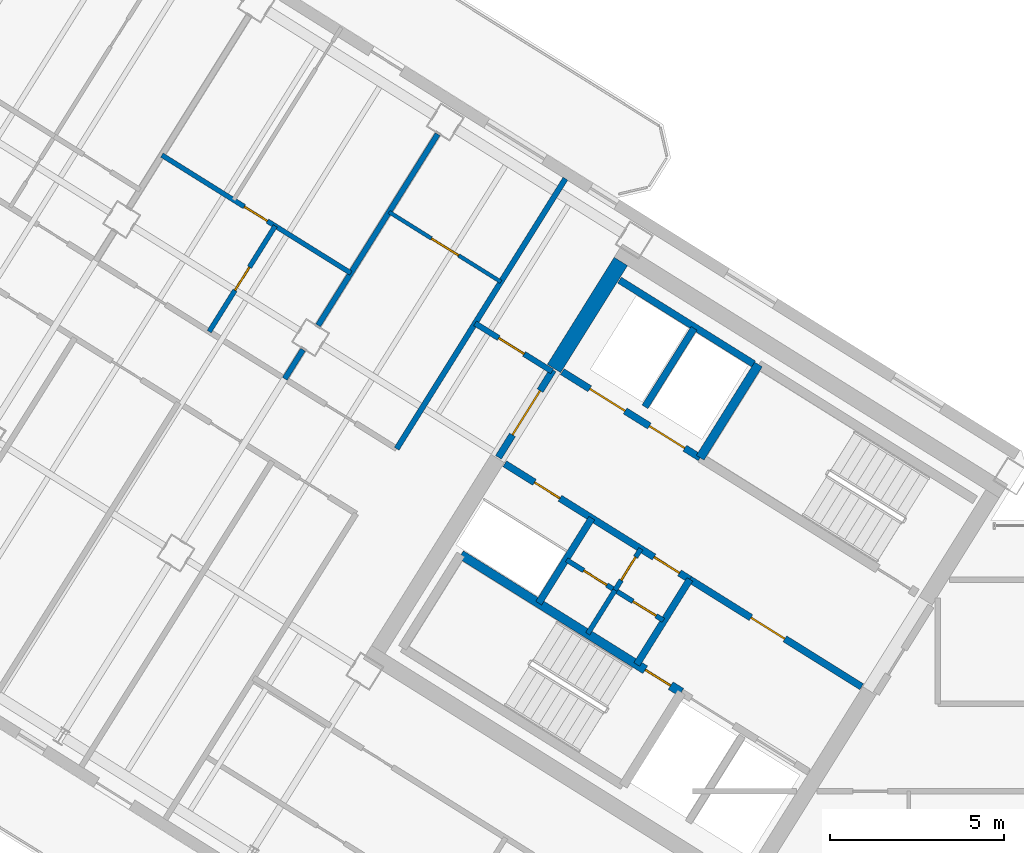
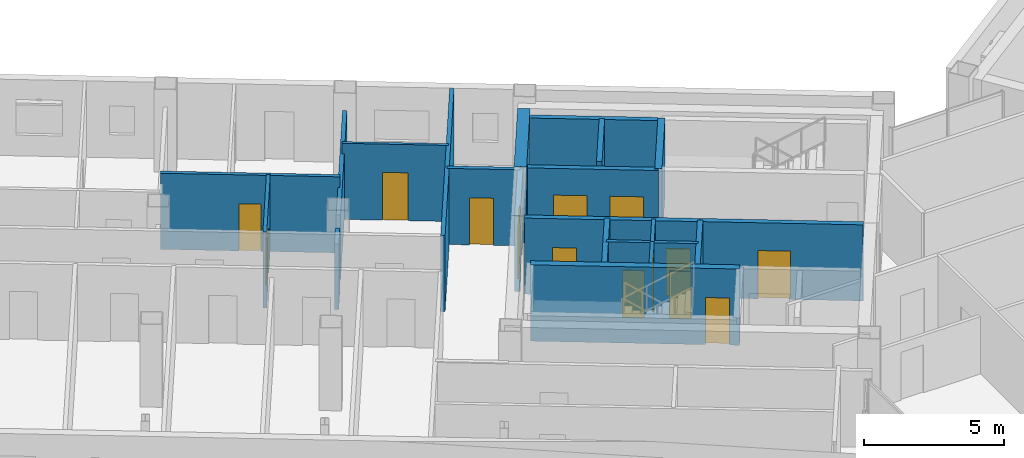
# One storey, part 17 of 27: 21 walls, 14 doors, 14 openings.
"""IFC4 building model written with IfcOpenShell, lengths in metres."""

from ifc_helpers import new_model, si_unit, direction, frame, frame_2d, origin, place, context, subcontext, project, spatial, rectangle, extrude, source, transform, mapped, material, layer, layer_set, type_object, element, fill, save


model = new_model("IFC4")

# Units and contexts
model_context = context("Model", 3, precision=1e-05, world=origin(), true_north=direction((0.0, 1.0)))
body_context = subcontext(model_context, "Body", "Model", "MODEL_VIEW")
ifc_project = project(units=[si_unit("LENGTHUNIT", "METRE"), si_unit("AREAUNIT", "SQUARE_METRE"), si_unit("VOLUMEUNIT", "CUBIC_METRE"), si_unit("PLANEANGLEUNIT", "RADIAN"), si_unit("MASSUNIT", "GRAM", prefix="KILO")], contexts=[model_context])

# Site, building, storey
site_placement = place(None, origin())
site = spatial("IfcSite", under=ifc_project, at=site_placement, CompositionType="ELEMENT")
building_placement = place(site_placement, origin())
building = spatial("IfcBuilding", under=site, at=building_placement, Name="Tlacorven Tower", CompositionType="ELEMENT")
storey_placement = place(building_placement, frame((0.0, 0.0, 242.10009765625)))
storey = spatial("IfcBuildingStorey", under=building, at=storey_placement, Name="L61", CompositionType="ELEMENT", Elevation=242.10009765625)

# Wall
ifc_material_1 = material(Name="Concrete C50/60", Category="concrete")
ifc_layer_1 = layer(ifc_material_1, 0.449951171875)
ifc_layer_set_1 = layer_set([ifc_layer_1], Name="Concrete C50/60")
wall_type_1 = type_object("IfcWallType", Name="WL-COR-450", PredefinedType="SHEAR", material=ifc_layer_set_1)
wall_1_placement = place(storey_placement, frame((29.543701171875, 30.636474609375, 0.0), z_axis=(0.0, 0.0, 1.0), x_axis=(-0.529902075036, -0.848058836916, 0.0)))
element("IfcWall", 1, at=wall_1_placement, inside=storey, type_object=wall_type_1, Name="L61 W core end wall E2.1", PredefinedType="SHEAR", context=body_context, shape_type="SweptSolid", body=[
    extrude(rectangle(XDim=3.625, YDim=0.449951171875, at=frame_2d((1.8125, 0.0))), origin(), (0.0, 0.0, 1.0), 3.31982421875),
])

# Wall, opening, door
ifc_material_2 = material(Name="Gypsum plasterboard acoustic partition", Category="gypsum")
ifc_layer_2 = layer(ifc_material_2, 0.159912109375)
ifc_layer_set_2 = layer_set([ifc_layer_2], Name="Gypsum plasterboard acoustic partition")
wall_type_2 = type_object("IfcWallType", Name="WL-DEM-160", PredefinedType="PARTITIONING", material=ifc_layer_set_2)
wall_2_placement = place(storey_placement, frame((27.56982421875, 27.4775390625, 0.0), z_axis=(0.0, 0.0, 1.0), x_axis=(-0.848050851465, 0.529914854792, 0.0)))
wall_2 = element("IfcWall", 2, at=wall_2_placement, inside=storey, type_object=wall_type_2, Name="L61 partition 38", PredefinedType="PARTITIONING", context=body_context, shape_type="SweptSolid", body=[
    extrude(rectangle(XDim=2.60986328125, YDim=0.159912109375, at=frame_2d((1.304931640625, 0.0))), origin(), (0.0, 0.0, 1.0), 3.309814453125),
])
opening_1_placement = place(wall_2_placement, frame((0.949951171875, 0.0, 0.0)))
opening_1 = element("IfcOpeningElement", 3, at=opening_1_placement, cuts=wall_2, Name="Opening D19", PredefinedType="OPENING", context=body_context, shape_type="SweptSolid", body=[
    extrude(rectangle(XDim=0.860107421875, YDim=2.050048828125, at=frame_2d((0.43017578125, 1.02490234375))), frame((0.0, 0.08984375, 0.0), z_axis=(0.0, -1.0, 0.0), x_axis=(1.0, 0.0, 0.0)), (0.0, 0.0, 1.0), 0.179931640625),
])
ifc_material_3 = material(Name="Fire-rated steel door assembly", Category="steel")
door_type_1 = type_object("IfcDoorType", Name="DR-RSR-FD60-0860", OperationType="NOTDEFINED", PredefinedType="DOOR", material=ifc_material_3)
shared_shape_1 = source(origin(), body_context, "Body", "SweptSolid", [
    extrude(rectangle(XDim=0.860107421875, YDim=2.050048828125, at=frame_2d((0.43017578125, 1.02490234375))), frame((0.0, 0.02490234375, 0.0), z_axis=(0.0, -1.0, 0.0), x_axis=(1.0, 0.0, 0.0)), (0.0, 0.0, 1.0), 0.050048828125),
])
door_1_placement = place(opening_1_placement, frame((0.860107421875, 0.0, 0.0), z_axis=(0.0, 0.0, 1.0), x_axis=(-1.0, 0.0, 0.0)))
door_1 = element("IfcDoor", 4, at=door_1_placement, inside=storey, type_object=door_type_1, Name="L61 door 021", OperationType="SINGLE_SWING_RIGHT", OverallHeight=2.050048828125, OverallWidth=0.860107421875, PredefinedType="DOOR", context=body_context, shape_type="MappedRepresentation", body=[
    mapped(shared_shape_1, transform((0.0, 0.0, 0.0), scale=1.0)),
])
fill(opening_1, door_1)

# Walls
wall_3_placement = place(storey_placement, frame((27.952880859375, 33.01611328125, 0.0), z_axis=(0.0, 0.0, 1.0), x_axis=(-0.529903001606, -0.848058257957, 0.0)))
element("IfcWall", 5, at=wall_3_placement, inside=storey, type_object=wall_type_2, Name="L61 partition 40", PredefinedType="PARTITIONING", context=body_context, shape_type="SweptSolid", body=[
    extrude(rectangle(XDim=9.150146484375, YDim=0.159912109375, at=frame_2d((4.5751953125, 0.0))), origin(), (0.0, 0.0, 1.0), 3.309814453125),
])
wall_4_placement = place(storey_placement, frame((24.2822265625, 34.29345703125, 0.0), z_axis=(0.0, 0.0, 1.0), x_axis=(-0.529934553702, -0.848038542045, 0.0)))
element("IfcWall", 6, at=wall_4_placement, inside=storey, type_object=wall_type_2, Name="L61 WS Demising Wall 1", PredefinedType="PARTITIONING", context=body_context, shape_type="SweptSolid", body=[
    extrude(rectangle(XDim=6.47607421875, YDim=0.159912109375, at=frame_2d((3.238037109375, 0.0))), origin(), (0.0, 0.0, 1.0), 2.844970703125),
])
wall_5_placement = place(storey_placement, frame((20.413818359375, 28.102783203125, 0.0), z_axis=(0.0, 0.0, 1.0), x_axis=(-0.529998940003, -0.847998304005, 0.0)))
element("IfcWall", 7, at=wall_5_placement, inside=storey, type_object=wall_type_2, Name="L61 WS Demising Wall 1", PredefinedType="PARTITIONING", context=body_context, shape_type="SweptSolid", body=[
    extrude(rectangle(XDim=0.988037109375, YDim=0.159912109375, at=frame_2d((0.494140625, 0.0))), origin(), (0.0, 0.0, 1.0), 2.844970703125),
])

# Wall, opening, door
ifc_material_4 = material(Name="Gypsum plasterboard partition", Category="gypsum")
ifc_layer_3 = layer(ifc_material_4, 0.110107421875)
ifc_layer_set_3 = layer_set([ifc_layer_3], Name="Gypsum plasterboard partition")
wall_type_3 = type_object("IfcWallType", Name="WL-INT-110", PredefinedType="PARTITIONING", material=ifc_layer_set_3)
wall_6_placement = place(storey_placement, frame((26.099365234375, 30.049560546875, 0.0), z_axis=(0.0, 0.0, 1.0), x_axis=(-0.84803087207, 0.529946827537, 0.0)))
wall_6 = element("IfcWall", 8, at=wall_6_placement, inside=storey, type_object=wall_type_3, Name="L61 partition 50", PredefinedType="PARTITIONING", context=body_context, shape_type="SweptSolid", body=[
    extrude(rectangle(XDim=3.7900390625, YDim=0.110107421875, at=frame_2d((1.89501953125, 0.0))), origin(), (0.0, 0.0, 1.0), 3.309814453125),
])
opening_2_placement = place(wall_6_placement, frame((1.43505859375, 0.0, 0.0)))
opening_2 = element("IfcOpeningElement", 9, at=opening_2_placement, cuts=wall_6, Name="Opening D12", PredefinedType="OPENING", context=body_context, shape_type="SweptSolid", body=[
    extrude(rectangle(XDim=0.919921875, YDim=2.080078125, at=frame_2d((0.4599609375, 1.0400390625))), frame((0.0, 0.06494140625, 0.0), z_axis=(0.0, -1.0, 0.0), x_axis=(1.0, 0.0, 0.0)), (0.0, 0.0, 1.0), 0.130126953125),
])
ifc_material_5 = material(Name="Powder-coated aluminium and timber door", Category="wood")
door_type_2 = type_object("IfcDoorType", Name="DR-INT-ROOM-0920", OperationType="NOTDEFINED", PredefinedType="DOOR", material=ifc_material_5)
shared_shape_2 = source(origin(), body_context, "Body", "SweptSolid", [
    extrude(rectangle(XDim=0.919921875, YDim=2.080078125, at=frame_2d((0.4599609375, 1.0400390625))), frame((0.0, 0.02490234375, 0.0), z_axis=(0.0, -1.0, 0.0), x_axis=(1.0, 0.0, 0.0)), (0.0, 0.0, 1.0), 0.050048828125),
])
door_2_placement = place(opening_2_placement, origin())
door_2 = element("IfcDoor", 10, at=door_2_placement, inside=storey, type_object=door_type_2, Name="L61 door 029", OperationType="SINGLE_SWING_LEFT", OverallHeight=2.080078125, OverallWidth=0.919921875, PredefinedType="DOOR", context=body_context, shape_type="MappedRepresentation", body=[
    mapped(shared_shape_2, transform((0.0, 0.0, 0.0), scale=1.0)),
])
fill(opening_2, door_2)

ifc_material_6 = material(Name="Moisture-resistant gypsum plumbing wall", Category="gypsum")
ifc_layer_4 = layer(ifc_material_6, 0.139892578125)
ifc_layer_set_4 = layer_set([ifc_layer_4], Name="Moisture-resistant gypsum plumbing wall")
wall_type_4 = type_object("IfcWallType", Name="WL-PLM-140", PredefinedType="PLUMBINGWALL", material=ifc_layer_set_4)
wall_7_placement = place(storey_placement, frame((30.117431640625, 22.383544921875, 0.0), z_axis=(0.0, 0.0, 1.0), x_axis=(-0.529951914384, -0.848027693204, 0.0)))
wall_7 = element("IfcWall", 11, at=wall_7_placement, inside=storey, type_object=wall_type_4, Name="L61 partition 18", PredefinedType="PLUMBINGWALL", context=body_context, shape_type="SweptSolid", body=[
    extrude(rectangle(XDim=1.39990234375, YDim=0.139892578125, at=frame_2d((0.699951171875, 0.0))), origin(), (0.0, 0.0, 1.0), 3.309814453125),
])
opening_3_placement = place(wall_7_placement, frame((0.280029296875, 0.0, 0.0)))
opening_3 = element("IfcOpeningElement", 12, at=opening_3_placement, cuts=wall_7, Name="Opening D22", PredefinedType="OPENING", context=body_context, shape_type="SweptSolid", body=[
    extrude(rectangle(XDim=0.780029296875, YDim=2.050048828125, at=frame_2d((0.39013671875, 1.02490234375))), frame((0.0, 0.080078125, 0.0), z_axis=(0.0, -1.0, 0.0), x_axis=(1.0, 0.0, 0.0)), (0.0, 0.0, 1.0), 0.159912109375),
])
door_type_3 = type_object("IfcDoorType", Name="DR-INT-WET-0780", OperationType="NOTDEFINED", PredefinedType="DOOR", material=ifc_material_5)
shared_shape_3 = source(origin(), body_context, "Body", "SweptSolid", [
    extrude(rectangle(XDim=0.780029296875, YDim=2.050048828125, at=frame_2d((0.39013671875, 1.02490234375))), frame((0.0, 0.02490234375, 0.0), z_axis=(0.0, -1.0, 0.0), x_axis=(1.0, 0.0, 0.0)), (0.0, 0.0, 1.0), 0.050048828125),
])
door_3_placement = place(opening_3_placement, origin())
door_3 = element("IfcDoor", 13, at=door_3_placement, inside=storey, type_object=door_type_3, Name="L61 door 010", OperationType="SINGLE_SWING_RIGHT", OverallHeight=2.050048828125, OverallWidth=0.780029296875, PredefinedType="DOOR", context=body_context, shape_type="MappedRepresentation", body=[
    mapped(shared_shape_3, transform((0.0, 0.0, 0.0), scale=1.0)),
])
fill(opening_3, door_3)

# Wall
wall_8_placement = place(storey_placement, frame((29.37548828125, 21.1962890625, 0.0), z_axis=(0.0, 0.0, 1.0), x_axis=(-0.529865479138, -0.848081702443, 0.0)))
element("IfcWall", 14, at=wall_8_placement, inside=storey, type_object=wall_type_4, Name="L61 partition 19", PredefinedType="PLUMBINGWALL", context=body_context, shape_type="SweptSolid", body=[
    extrude(rectangle(XDim=1.47998046875, YDim=0.139892578125, at=frame_2d((0.739990234375, 0.0))), origin(), (0.0, 0.0, 1.0), 3.309814453125),
])

# Wall, openings, doors
wall_9_placement = place(storey_placement, frame((30.766357421875, 20.3271484375, 0.0), z_axis=(0.0, 0.0, 1.0), x_axis=(-0.848052663127, 0.529911955482, 0.0)))
wall_9 = element("IfcWall", 15, at=wall_9_placement, inside=storey, type_object=wall_type_4, Name="L61 partition 20", PredefinedType="PLUMBINGWALL", context=body_context, shape_type="SweptSolid", body=[
    extrude(rectangle(XDim=3.27978515625, YDim=0.139892578125, at=frame_2d((1.639892578125, 0.0))), origin(), (0.0, 0.0, 1.0), 3.309814453125),
])
opening_4_placement = place(wall_9_placement, frame((0.25, 0.0, 0.0)))
opening_4 = element("IfcOpeningElement", 16, at=opening_4_placement, cuts=wall_9, Name="Opening D22", PredefinedType="OPENING", context=body_context, shape_type="SweptSolid", body=[
    extrude(rectangle(XDim=0.780029296875, YDim=2.050048828125, at=frame_2d((0.39013671875, 1.02490234375))), frame((0.0, 0.080078125, 0.0), z_axis=(0.0, -1.0, 0.0), x_axis=(1.0, 0.0, 0.0)), (0.0, 0.0, 1.0), 0.159912109375),
])
opening_5_placement = place(wall_9_placement, frame((1.919921875, 0.0, 0.0)))
opening_5 = element("IfcOpeningElement", 17, at=opening_5_placement, cuts=wall_9, Name="Opening D22", PredefinedType="OPENING", context=body_context, shape_type="SweptSolid", body=[
    extrude(rectangle(XDim=0.780029296875, YDim=2.050048828125, at=frame_2d((0.39013671875, 1.02490234375))), frame((0.0, 0.080078125, 0.0), z_axis=(0.0, -1.0, 0.0), x_axis=(1.0, 0.0, 0.0)), (0.0, 0.0, 1.0), 0.159912109375),
])
door_4_placement = place(opening_4_placement, origin())
door_4 = element("IfcDoor", 18, at=door_4_placement, inside=storey, type_object=door_type_3, Name="L61 door 011", OperationType="SINGLE_SWING_LEFT", OverallHeight=2.050048828125, OverallWidth=0.780029296875, PredefinedType="DOOR", context=body_context, shape_type="MappedRepresentation", body=[
    mapped(shared_shape_3, transform((0.0, 0.0, 0.0), scale=1.0)),
])
fill(opening_4, door_4)
door_5_placement = place(opening_5_placement, origin())
door_5 = element("IfcDoor", 19, at=door_5_placement, inside=storey, type_object=door_type_3, Name="L61 door 012", OperationType="SINGLE_SWING_RIGHT", OverallHeight=2.050048828125, OverallWidth=0.780029296875, PredefinedType="DOOR", context=body_context, shape_type="MappedRepresentation", body=[
    mapped(shared_shape_3, transform((0.0, 0.0, 0.0), scale=1.0)),
])
fill(opening_5, door_5)

# Wall, opening, door
wall_10_placement = place(storey_placement, frame((21.787353515625, 30.30078125, 0.0), z_axis=(0.0, 0.0, 1.0), x_axis=(-0.848049732085, 0.529916646191, 0.0)))
wall_10 = element("IfcWall", 20, at=wall_10_placement, inside=storey, type_object=wall_type_4, Name="L61 partition 52", PredefinedType="PLUMBINGWALL", context=body_context, shape_type="SweptSolid", body=[
    extrude(rectangle(XDim=6.400146484375, YDim=0.139892578125, at=frame_2d((3.2001953125, 0.0))), origin(), (0.0, 0.0, 1.0), 3.309814453125),
])
opening_6_placement = place(wall_10_placement, frame((2.823974609375, 0.0, 0.0)))
opening_6 = element("IfcOpeningElement", 21, at=opening_6_placement, cuts=wall_10, Name="Opening D22", PredefinedType="OPENING", context=body_context, shape_type="SweptSolid", body=[
    extrude(rectangle(XDim=0.780029296875, YDim=2.050048828125, at=frame_2d((0.39013671875, 1.02490234375))), frame((0.0, 0.080078125, 0.0), z_axis=(0.0, -1.0, 0.0), x_axis=(1.0, 0.0, 0.0)), (0.0, 0.0, 1.0), 0.159912109375),
])
door_6_placement = place(opening_6_placement, origin())
door_6 = element("IfcDoor", 22, at=door_6_placement, inside=storey, type_object=door_type_3, Name="L61 door 032", OperationType="SINGLE_SWING_RIGHT", OverallHeight=2.050048828125, OverallWidth=0.780029296875, PredefinedType="DOOR", context=body_context, shape_type="MappedRepresentation", body=[
    mapped(shared_shape_3, transform((0.0, 0.0, 0.0), scale=1.0)),
])
fill(opening_6, door_6)

wall_11_placement = place(storey_placement, frame((19.6162109375, 31.657470703125, 0.0), z_axis=(0.0, 0.0, 1.0), x_axis=(-0.529876336437, -0.84807491891, 0.0)))
wall_11 = element("IfcWall", 23, at=wall_11_placement, inside=storey, type_object=wall_type_4, Name="L61 partition 53", PredefinedType="PLUMBINGWALL", context=body_context, shape_type="SweptSolid", body=[
    extrude(rectangle(XDim=3.580078125, YDim=0.139892578125, at=frame_2d((1.7900390625, 0.0))), origin(), (0.0, 0.0, 1.0), 3.309814453125),
])
opening_7_placement = place(wall_11_placement, frame((1.39990234375, 0.0, 0.0)))
opening_7 = element("IfcOpeningElement", 24, at=opening_7_placement, cuts=wall_11, Name="Opening D22", PredefinedType="OPENING", context=body_context, shape_type="SweptSolid", body=[
    extrude(rectangle(XDim=0.780029296875, YDim=2.050048828125, at=frame_2d((0.39013671875, 1.02490234375))), frame((0.0, 0.080078125, 0.0), z_axis=(0.0, -1.0, 0.0), x_axis=(1.0, 0.0, 0.0)), (0.0, 0.0, 1.0), 0.159912109375),
])
door_7_placement = place(opening_7_placement, origin())
door_7 = element("IfcDoor", 25, at=door_7_placement, inside=storey, type_object=door_type_3, Name="L61 door 033", OperationType="SINGLE_SWING_LEFT", OverallHeight=2.050048828125, OverallWidth=0.780029296875, PredefinedType="DOOR", context=body_context, shape_type="MappedRepresentation", body=[
    mapped(shared_shape_3, transform((0.0, 0.0, 0.0), scale=1.0)),
])
fill(opening_7, door_7)

ifc_material_7 = material(Name="Concrete C40/50", Category="concrete")
ifc_layer_5 = layer(ifc_material_7, 0.199951171875)
ifc_layer_set_5 = layer_set([ifc_layer_5], Name="Concrete C40/50")
wall_type_5 = type_object("IfcWallType", Name="WL-SHF-200", PredefinedType="STANDARD", material=ifc_layer_set_5)
wall_12_placement = place(storey_placement, frame((36.459228515625, 18.420654296875, 0.0), z_axis=(0.0, 0.0, 1.0), x_axis=(-0.848059591691, 0.529900867089, 0.0)))
wall_12 = element("IfcWall", 26, at=wall_12_placement, inside=storey, type_object=wall_type_5, Name="L61 Core W Smoke Lobby Wall", PredefinedType="STANDARD", context=body_context, shape_type="SweptSolid", body=[
    extrude(rectangle(XDim=5.818115234375, YDim=0.199951171875, at=frame_2d((2.9091796875, 0.0))), origin(), (0.0, 0.0, 1.0), 3.309814453125),
])
opening_8_placement = place(wall_12_placement, frame((2.597900390625, 0.0, 0.0)))
opening_8 = element("IfcOpeningElement", 27, at=opening_8_placement, cuts=wall_12, Name="Opening D09", PredefinedType="OPENING", context=body_context, shape_type="SweptSolid", body=[
    extrude(rectangle(XDim=1.14990234375, YDim=2.10009765625, at=frame_2d((0.574951171875, 1.050048828125))), frame((0.0, 0.10986328125, 0.0), z_axis=(0.0, -1.0, 0.0), x_axis=(1.0, 0.0, 0.0)), (0.0, 0.0, 1.0), 0.219970703125),
])
door_type_4 = type_object("IfcDoorType", Name="DR-FFL-FD60-1150", OperationType="NOTDEFINED", PredefinedType="DOOR", material=ifc_material_3)
shared_shape_4 = source(origin(), body_context, "Body", "SweptSolid", [
    extrude(rectangle(XDim=1.14990234375, YDim=2.10009765625, at=frame_2d((0.574951171875, 1.050048828125))), frame((0.0, 0.02490234375, 0.0), z_axis=(0.0, -1.0, 0.0), x_axis=(1.0, 0.0, 0.0)), (0.0, 0.0, 1.0), 0.050048828125),
])
door_8_placement = place(opening_8_placement, origin())
door_8 = element("IfcDoor", 28, at=door_8_placement, inside=storey, type_object=door_type_4, Name="L61 Firefighting Lobby W Fire Door", OperationType="SINGLE_SWING_LEFT", OverallHeight=2.10009765625, OverallWidth=1.14990234375, PredefinedType="DOOR", context=body_context, shape_type="MappedRepresentation", body=[
    mapped(shared_shape_4, transform((0.0, 0.0, 0.0), scale=1.0)),
])
fill(opening_8, door_8)

# Wall, openings, doors
wall_13_placement = place(storey_placement, frame((31.82177734375, 24.99755859375, 0.0), z_axis=(0.0, 0.0, 1.0), x_axis=(-0.848054125777, 0.529909614701, 0.0)))
wall_13 = element("IfcWall", 29, at=wall_13_placement, inside=storey, type_object=wall_type_5, Name="L61 Core W South Lift Shaft Wall", PredefinedType="STANDARD", context=body_context, shape_type="SweptSolid", body=[
    extrude(rectangle(XDim=4.66796875, YDim=0.199951171875, at=frame_2d((2.333984375, 0.0))), origin(), (0.0, 0.0, 1.0), 3.309814453125),
])
opening_9_placement = place(wall_13_placement, frame((0.52001953125, 0.0, 0.0)))
opening_9 = element("IfcOpeningElement", 30, at=opening_9_placement, cuts=wall_13, Name="Opening LD02", PredefinedType="OPENING", context=body_context, shape_type="SweptSolid", body=[
    extrude(rectangle(XDim=1.199951171875, YDim=2.14990234375, at=frame_2d((0.60009765625, 1.074951171875))), frame((0.0, 0.10986328125, 0.0), z_axis=(0.0, -1.0, 0.0), x_axis=(1.0, 0.0, 0.0)), (0.0, 0.0, 1.0), 0.219970703125),
])
opening_10_placement = place(wall_13_placement, frame((2.5400390625, 0.0, 0.0)))
opening_10 = element("IfcOpeningElement", 31, at=opening_10_placement, cuts=wall_13, Name="Opening LD02", PredefinedType="OPENING", context=body_context, shape_type="SweptSolid", body=[
    extrude(rectangle(XDim=1.199951171875, YDim=2.14990234375, at=frame_2d((0.60009765625, 1.074951171875))), frame((0.0, 0.10986328125, 0.0), z_axis=(0.0, -1.0, 0.0), x_axis=(1.0, 0.0, 0.0)), (0.0, 0.0, 1.0), 0.219970703125),
])
door_type_5 = type_object("IfcDoorType", Name="DR-LFT-SLID-1200", OperationType="DOUBLE_DOOR_SLIDING", PredefinedType="DOOR", material=ifc_material_3)
shared_shape_5 = source(origin(), body_context, "Body", "SweptSolid", [
    extrude(rectangle(XDim=1.199951171875, YDim=2.14990234375, at=frame_2d((0.60009765625, 1.074951171875))), frame((0.0, 0.02490234375, 0.0), z_axis=(0.0, -1.0, 0.0), x_axis=(1.0, 0.0, 0.0)), (0.0, 0.0, 1.0), 0.050048828125),
])
door_9_placement = place(opening_9_placement, origin())
door_9 = element("IfcDoor", 32, at=door_9_placement, inside=storey, type_object=door_type_5, Name="L61 Lift PL-H1 Sliding Landing Door", OperationType="DOUBLE_DOOR_SLIDING", OverallHeight=2.14990234375, OverallWidth=1.199951171875, PredefinedType="DOOR", context=body_context, shape_type="MappedRepresentation", body=[
    mapped(shared_shape_5, transform((0.0, 0.0, 0.0), scale=1.0)),
])
fill(opening_9, door_9)
door_10_placement = place(opening_10_placement, origin())
door_10 = element("IfcDoor", 33, at=door_10_placement, inside=storey, type_object=door_type_5, Name="L61 Lift PL-H2 Sliding Landing Door", OperationType="DOUBLE_DOOR_SLIDING", OverallHeight=2.14990234375, OverallWidth=1.199951171875, PredefinedType="DOOR", context=body_context, shape_type="MappedRepresentation", body=[
    mapped(shared_shape_5, transform((0.0, 0.0, 0.0), scale=1.0)),
])
fill(opening_10, door_10)

# Walls
wall_14_placement = place(storey_placement, frame((31.645263671875, 28.716064453125, 0.0), z_axis=(0.0, 0.0, 1.0), x_axis=(-0.52986693015, -0.848080795876, 0.0)))
element("IfcWall", 34, at=wall_14_placement, inside=storey, type_object=wall_type_5, Name="L61 partition 12", PredefinedType="STANDARD", context=body_context, shape_type="SweptSolid", body=[
    extrude(rectangle(XDim=2.659912109375, YDim=0.199951171875, at=frame_2d((1.330078125, 0.0))), origin(), (0.0, 0.0, 1.0), 3.309814453125),
])
wall_15_placement = place(storey_placement, frame((33.362548828125, 27.690185546875, 0.0), z_axis=(0.0, 0.0, 1.0), x_axis=(-0.84804957148, 0.529916903215, 0.0)))
element("IfcWall", 35, at=wall_15_placement, inside=storey, type_object=wall_type_5, Name="L61 partition 14", PredefinedType="STANDARD", context=body_context, shape_type="SweptSolid", body=[
    extrude(rectangle(XDim=4.547607421875, YDim=0.199951171875, at=frame_2d((2.27392578125, 0.0))), origin(), (0.0, 0.0, 1.0), 3.309814453125),
])
for number, where, z_axis, x_axis, name in (
    (36, (31.525146484375, 21.503662109375, 0.0), (0.0, 0.0, 1.0), (-0.529907497854, -0.848055448493, 0.0), "L61 partition 15"),
    (37, (28.709716796875, 23.26318359375, 0.0), (0.0, 0.0, 1.0), (-0.529907497854, -0.848055448493, 0.0), "L61 partition 16"),
):
    element("IfcWall", number, at=place(storey_placement, frame(where, z_axis=z_axis, x_axis=x_axis)), inside=storey, type_object=wall_type_5, Name=name, PredefinedType="STANDARD", context=body_context, shape_type="SweptSolid", body=[
        extrude(rectangle(XDim=2.8798828125, YDim=0.199951171875, at=frame_2d((1.43994140625, 0.0))), origin(), (0.0, 0.0, 1.0), 3.309814453125),
    ])

# Wall, openings, doors
wall_16_placement = place(storey_placement, frame((31.525146484375, 21.503662109375, 0.0), z_axis=(0.0, 0.0, 1.0), x_axis=(-0.848042066329, 0.529928913853, 0.0)))
wall_16 = element("IfcWall", 38, at=wall_16_placement, inside=storey, type_object=wall_type_5, Name="L61 Core W North Service Wall", PredefinedType="STANDARD", context=body_context, shape_type="SweptSolid", body=[
    extrude(rectangle(XDim=6.267822265625, YDim=0.199951171875, at=frame_2d((3.1337890625, 0.0))), origin(), (0.0, 0.0, 1.0), 3.309814453125),
])
opening_11_placement = place(wall_16_placement, frame((4.39990234375, 0.0, 0.0)))
opening_11 = element("IfcOpeningElement", 39, at=opening_11_placement, cuts=wall_16, Name="Opening D19", PredefinedType="OPENING", context=body_context, shape_type="SweptSolid", body=[
    extrude(rectangle(XDim=0.860107421875, YDim=2.050048828125, at=frame_2d((0.43017578125, 1.02490234375))), frame((0.0, 0.10986328125, 0.0), z_axis=(0.0, -1.0, 0.0), x_axis=(1.0, 0.0, 0.0)), (0.0, 0.0, 1.0), 0.219970703125),
])
opening_12_placement = place(wall_16_placement, frame((0.35009765625, 0.0, 0.0)))
opening_12 = element("IfcOpeningElement", 40, at=opening_12_placement, cuts=wall_16, Name="Opening D19", PredefinedType="OPENING", context=body_context, shape_type="SweptSolid", body=[
    extrude(rectangle(XDim=0.860107421875, YDim=2.050048828125, at=frame_2d((0.43017578125, 1.02490234375))), frame((0.0, 0.10986328125, 0.0), z_axis=(0.0, -1.0, 0.0), x_axis=(1.0, 0.0, 0.0)), (0.0, 0.0, 1.0), 0.219970703125),
])
door_11_placement = place(opening_11_placement, frame((0.860107421875, 0.0, 0.0), z_axis=(0.0, 0.0, 1.0), x_axis=(-1.0, 0.0, 0.0)))
door_11 = element("IfcDoor", 41, at=door_11_placement, inside=storey, type_object=door_type_1, Name="L61 Electrical Riser Access Door W", OperationType="SINGLE_SWING_RIGHT", OverallHeight=2.050048828125, OverallWidth=0.860107421875, PredefinedType="DOOR", context=body_context, shape_type="MappedRepresentation", body=[
    mapped(shared_shape_1, transform((0.0, 0.0, 0.0), scale=1.0)),
])
fill(opening_11, door_11)
door_12_placement = place(opening_12_placement, frame((0.860107421875, 0.0, 0.0), z_axis=(0.0, 0.0, 1.0), x_axis=(-1.0, 0.0, 0.0)))
door_12 = element("IfcDoor", 42, at=door_12_placement, inside=storey, type_object=door_type_1, Name="L61 Cleaning Room Access Door W", OperationType="SINGLE_SWING_LEFT", OverallHeight=2.050048828125, OverallWidth=0.860107421875, PredefinedType="DOOR", context=body_context, shape_type="MappedRepresentation", body=[
    mapped(shared_shape_1, transform((0.0, 0.0, 0.0), scale=1.0)),
])
fill(opening_12, door_12)

# Wall, opening, door
wall_17_placement = place(storey_placement, frame((27.59619140625, 27.52001953125, 0.0), z_axis=(0.0, 0.0, 1.0), x_axis=(-0.529865479138, -0.848081702443, 0.0)))
wall_17 = element("IfcWall", 43, at=wall_17_placement, inside=storey, type_object=wall_type_5, Name="L61 partition 37", PredefinedType="STANDARD", context=body_context, shape_type="SweptSolid", body=[
    extrude(rectangle(XDim=2.9599609375, YDim=0.199951171875, at=frame_2d((1.47998046875, 0.0))), origin(), (0.0, 0.0, 1.0), 3.309814453125),
])
opening_13_placement = place(wall_17_placement, frame((0.699951171875, 0.0, 0.0)))
opening_13 = element("IfcOpeningElement", 44, at=opening_13_placement, cuts=wall_17, Name="Opening D10", PredefinedType="OPENING", context=body_context, shape_type="SweptSolid", body=[
    extrude(rectangle(XDim=1.5, YDim=2.14990234375, at=frame_2d((0.75, 1.074951171875))), frame((0.0, 0.10986328125, 0.0), z_axis=(0.0, -1.0, 0.0), x_axis=(1.0, 0.0, 0.0)), (0.0, 0.0, 1.0), 0.219970703125),
])
door_type_6 = type_object("IfcDoorType", Name="DR-LOB-FD60-1500", OperationType="DOUBLE_DOOR_SINGLE_SWING", PredefinedType="DOOR", material=ifc_material_3)
shared_shape_6 = source(origin(), body_context, "Body", "SweptSolid", [
    extrude(rectangle(XDim=1.5, YDim=2.14990234375, at=frame_2d((0.75, 1.074951171875))), frame((0.0, 0.02490234375, 0.0), z_axis=(0.0, -1.0, 0.0), x_axis=(1.0, 0.0, 0.0)), (0.0, 0.0, 1.0), 0.050048828125),
])
door_13_placement = place(opening_13_placement, origin())
door_13 = element("IfcDoor", 45, at=door_13_placement, inside=storey, type_object=door_type_6, Name="L61 door 022", OperationType="DOUBLE_DOOR_SINGLE_SWING", OverallHeight=2.14990234375, OverallWidth=1.5, PredefinedType="DOOR", context=body_context, shape_type="MappedRepresentation", body=[
    mapped(shared_shape_6, transform((0.0, 0.0, 0.0), scale=1.0)),
])
fill(opening_13, door_13)

ifc_layer_6 = layer(ifc_material_1, 0.260009765625)
ifc_layer_set_6 = layer_set([ifc_layer_6], Name="Concrete C50/60")
wall_type_6 = type_object("IfcWallType", Name="WL-STW-260", PredefinedType="SHEAR", material=ifc_layer_set_6)
wall_18_placement = place(storey_placement, frame((31.279541015625, 18.26123046875, 0.0), z_axis=(0.0, 0.0, 1.0), x_axis=(-0.848051618787, 0.529913626805, 0.0)))
wall_18 = element("IfcWall", 46, at=wall_18_placement, inside=storey, type_object=wall_type_6, Name="L61 Stair W1 Lobby Shear Wall", PredefinedType="SHEAR", context=body_context, shape_type="SweptSolid", body=[
    extrude(rectangle(XDim=7.4599609375, YDim=0.260009765625, at=frame_2d((3.72998046875, 0.0))), origin(), (0.0, 0.0, 1.0), 3.31982421875),
])
opening_14_placement = place(wall_18_placement, frame((0.360107421875, 0.0, 0.0)))
opening_14 = element("IfcOpeningElement", 47, at=opening_14_placement, cuts=wall_18, Name="Opening D19", PredefinedType="OPENING", context=body_context, shape_type="SweptSolid", body=[
    extrude(rectangle(XDim=0.860107421875, YDim=2.050048828125, at=frame_2d((0.43017578125, 1.02490234375))), frame((0.0, 0.14013671875, 0.0), z_axis=(0.0, -1.0, 0.0), x_axis=(1.0, 0.0, 0.0)), (0.0, 0.0, 1.0), 0.280029296875),
])
door_14_placement = place(opening_14_placement, frame((0.860107421875, 0.0, 0.0), z_axis=(0.0, 0.0, 1.0), x_axis=(-1.0, 0.0, 0.0)))
door_14 = element("IfcDoor", 48, at=door_14_placement, inside=storey, type_object=door_type_1, Name="L61 Exit Stair W1 Fire Door", OperationType="SINGLE_SWING_LEFT", OverallHeight=2.050048828125, OverallWidth=0.860107421875, PredefinedType="DOOR", context=body_context, shape_type="MappedRepresentation", body=[
    mapped(shared_shape_1, transform((0.0, 0.0, 0.0), scale=1.0)),
])
fill(opening_14, door_14)

# Wall
wall_19_placement = place(storey_placement, frame((33.496337890625, 27.677490234375, 0.0), z_axis=(0.0, 0.0, 1.0), x_axis=(-0.529908658664, -0.84805472316, 0.0)))
element("IfcWall", 49, at=wall_19_placement, inside=storey, type_object=wall_type_6, Name="L61 Stair W2 East Shear Wall", PredefinedType="SHEAR", context=body_context, shape_type="SweptSolid", body=[
    extrude(rectangle(XDim=3.16015625, YDim=0.260009765625, at=frame_2d((1.580078125, 0.0))), origin(), (0.0, 0.0, 1.0), 3.31982421875),
])

save(model, "model.ifc")
